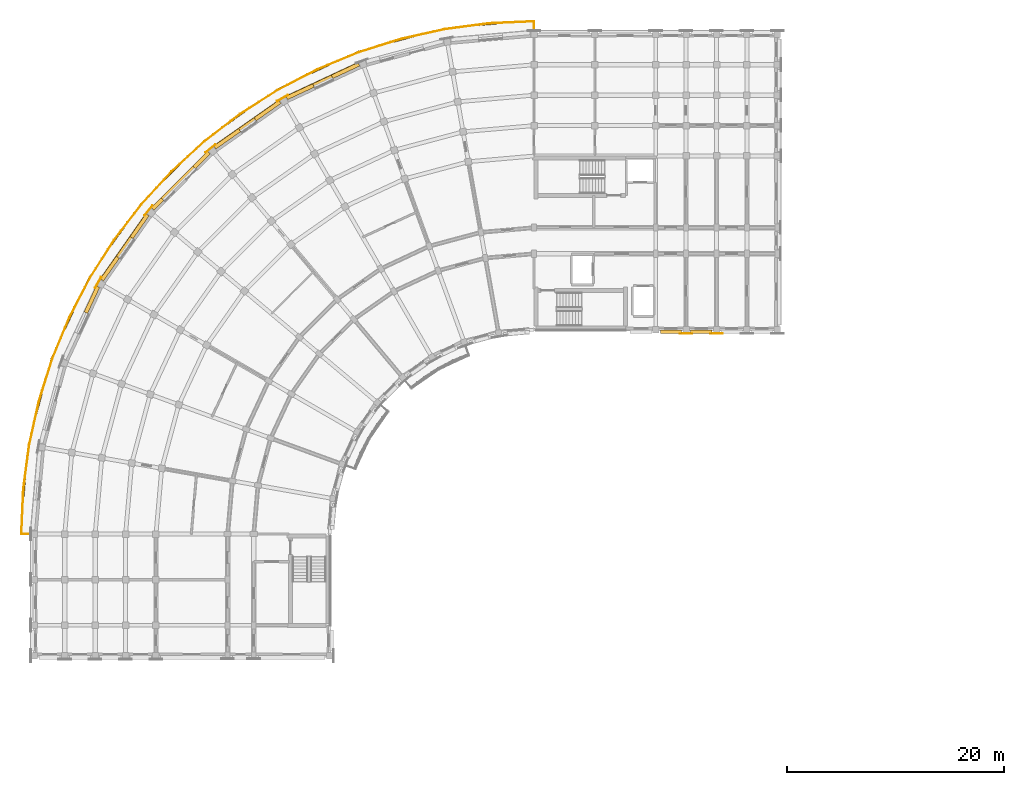
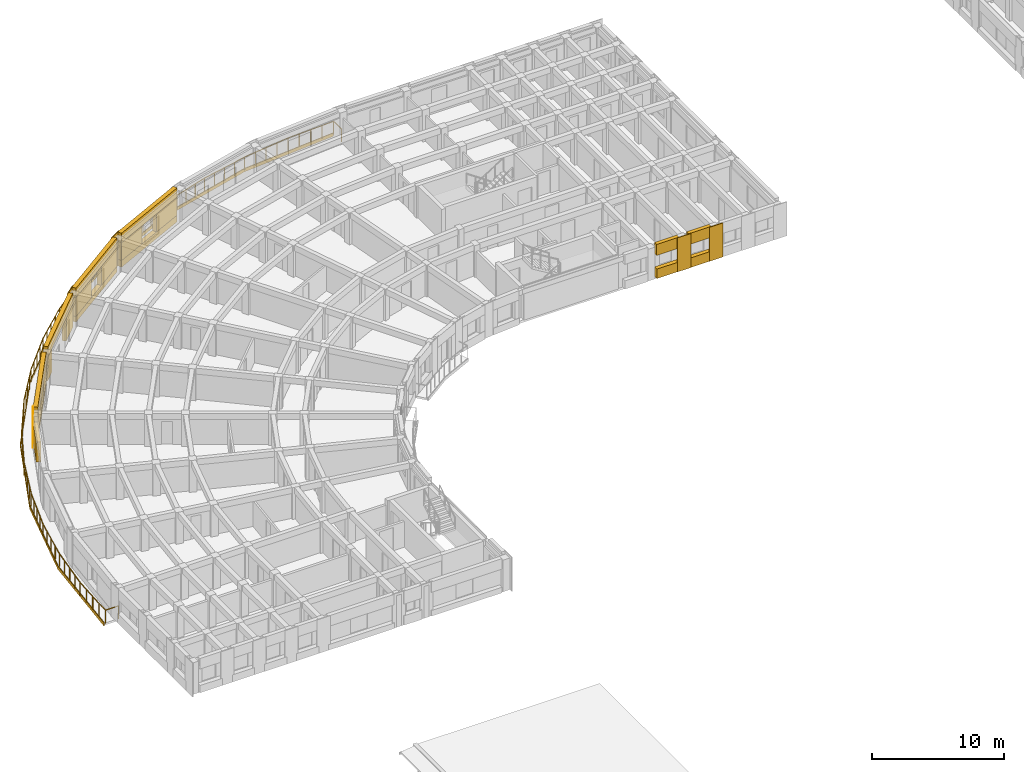
# One storey, part 33 of 41: 27 coverings, 1 railing.
"""IFC4 building model written with IfcOpenShell, lengths in metres."""

from ifc_helpers import new_model, si_unit, direction, frame, origin, origin_2d, place, context, subcontext, project, spatial, polyline, circle, outline, extrude, material, layer, layer_set, type_object, element, save


model = new_model("IFC4")

# Units and contexts
model_context = context("Model", 3, precision=1e-05, world=origin(), true_north=direction((0.0, 1.0)))
body_context = subcontext(model_context, "Body", "Model", "MODEL_VIEW")
ifc_project = project(units=[si_unit("LENGTHUNIT", "METRE"), si_unit("AREAUNIT", "SQUARE_METRE"), si_unit("VOLUMEUNIT", "CUBIC_METRE"), si_unit("PLANEANGLEUNIT", "RADIAN"), si_unit("MASSUNIT", "GRAM", prefix="KILO")], contexts=[model_context])

# Site, building, storey
site_placement = place(None, origin())
site = spatial("IfcSite", under=ifc_project, at=site_placement, CompositionType="ELEMENT")
building_placement = place(site_placement, origin())
building = spatial("IfcBuilding", under=site, at=building_placement, Name="Kiranvali Square Residences", CompositionType="ELEMENT")
storey_placement = place(building_placement, frame((0.0, 0.0, 33.89990234375)))
storey = spatial("IfcBuildingStorey", under=building, at=storey_placement, Name="L10", CompositionType="ELEMENT", Elevation=33.89990234375)

# Coverings
ifc_material_1 = material(Name="Carved Porbandar limestone classical entablature and cornice", Category="masonry")
ifc_layer_1 = layer(ifc_material_1, 0.072021484375)
ifc_layer_set_1 = layer_set([ifc_layer_1], Name="Carved Porbandar limestone classical entablature and cornice")
covering_type_1 = type_object("IfcCoveringType", Name="COV-CLAD-BAL", PredefinedType="CLADDING", material=ifc_layer_set_1)
covering_1_placement = place(storey_placement, frame((0.0, 0.0, -0.239990234375)))
element("IfcCovering", 1, at=covering_1_placement, inside=storey, type_object=covering_type_1, Name="Block A L10 continuous curved limestone balcony fascia", PredefinedType="CLADDING", context=body_context, shape_type="SweptSolid", body=[
    extrude(outline(polyline([(48.199951171875, 135.117919921875), (39.9833984375, 134.399169921875), (32.016357421875, 132.264404296875), (24.541015625, 128.778564453125), (17.78466796875, 124.047607421875), (11.952392578125, 118.21533203125), (7.221435546875, 111.458984375), (3.735595703125, 103.983642578125), (1.600830078125, 96.0166015625), (0.882080078125, 87.800048828125), (0.947998046875, 87.800048828125), (1.665771484375, 96.005126953125), (3.797607421875, 103.961181640625), (7.278564453125, 111.426025390625), (12.0029296875, 118.173095703125), (17.826904296875, 123.9970703125), (24.573974609375, 128.721435546875), (32.038818359375, 132.202392578125), (39.994873046875, 134.334228515625), (48.199951171875, 135.052001953125), (48.199951171875, 135.117919921875)])), origin(), (0.0, 0.0, 1.0), 0.300048828125),
])
ifc_material_2 = material(Name="Honed Porbandar limestone ashlar facade cladding", Category="masonry")
ifc_layer_2 = layer(ifc_material_2, 0.3798828125)
ifc_layer_set_2 = layer_set([ifc_layer_2], Name="Honed Porbandar limestone ashlar facade cladding")
covering_type_2 = type_object("IfcCoveringType", Name="COV-CLAD-JAMB", PredefinedType="CLADDING", material=ifc_layer_set_2)
covering_2_placement = place(storey_placement, frame((0.0, 0.0, 0.6220703125)))
element("IfcCovering", 2, at=covering_2_placement, inside=storey, type_object=covering_type_2, Name="L10 deep limestone window jamb reveal A-L10-CRV-02.L", PredefinedType="CLADDING", context=body_context, shape_type="SweptSolid", body=[
    extrude(outline(polyline([(31.997802734375, 131.2041015625), (29.54248046875, 130.059326171875), (29.6943359375, 129.7333984375), (32.149658203125, 130.87841796875), (31.997802734375, 131.2041015625)])), origin(), (0.0, 0.0, 1.0), 1.650146484375),
])
covering_3_placement = place(storey_placement, frame((0.0, 0.0, 0.6220703125)))
element("IfcCovering", 3, at=covering_3_placement, inside=storey, type_object=covering_type_2, Name="L10 deep limestone window jamb reveal A-L10-CRV-02.R", PredefinedType="CLADDING", context=body_context, shape_type="SweptSolid", body=[
    extrude(outline(polyline([(27.8203125, 129.25634765625), (25.364990234375, 128.111328125), (25.51708984375, 127.78564453125), (27.972412109375, 128.930419921875), (27.8203125, 129.25634765625)])), origin(), (0.0, 0.0, 1.0), 1.650146484375),
])
covering_4_placement = place(storey_placement, frame((0.0, 0.0, 0.522216796875)))
element("IfcCovering", 4, at=covering_4_placement, inside=storey, type_object=covering_type_2, Name="L10 deep limestone window jamb reveal A-L10-CRV-03.L", PredefinedType="CLADDING", context=body_context, shape_type="SweptSolid", body=[
    extrude(outline(polyline([(24.706787109375, 127.731201171875), (22.42626953125, 126.13427734375), (22.63232421875, 125.83984375), (24.9130859375, 127.436767578125), (24.706787109375, 127.731201171875)])), origin(), (0.0, 0.0, 1.0), 1.75),
])
covering_5_placement = place(storey_placement, frame((0.0, 0.0, 0.522216796875)))
element("IfcCovering", 5, at=covering_5_placement, inside=storey, type_object=covering_type_2, Name="L10 deep limestone window jamb reveal A-L10-CRV-03.R", PredefinedType="CLADDING", context=body_context, shape_type="SweptSolid", body=[
    extrude(outline(polyline([(20.99267578125, 125.130615234375), (18.7119140625, 123.53369140625), (18.918212890625, 123.2392578125), (21.19873046875, 124.836181640625), (20.99267578125, 125.130615234375)])), origin(), (0.0, 0.0, 1.0), 1.75),
])
covering_6_placement = place(storey_placement, origin())
element("IfcCovering", 6, at=covering_6_placement, inside=storey, type_object=covering_type_2, Name="L10 deep limestone window jamb reveal A-L10-CRV-04.L", PredefinedType="CLADDING", context=body_context, shape_type="SweptSolid", body=[
    extrude(outline(polyline([(18.129638671875, 123.045166015625), (16.778076171875, 121.693603515625), (17.032470703125, 121.439453125), (18.384033203125, 122.791015625), (18.129638671875, 123.045166015625)])), origin(), (0.0, 0.0, 1.0), 2.18017578125),
])
covering_7_placement = place(storey_placement, origin())
element("IfcCovering", 7, at=covering_7_placement, inside=storey, type_object=covering_type_2, Name="L10 deep limestone window jamb reveal A-L10-CRV-04.R", PredefinedType="CLADDING", context=body_context, shape_type="SweptSolid", body=[
    extrude(outline(polyline([(13.8408203125, 118.756103515625), (12.954833984375, 117.870361328125), (13.208984375, 117.615966796875), (14.094970703125, 118.501953125), (13.8408203125, 118.756103515625)])), origin(), (0.0, 0.0, 1.0), 2.18017578125),
])
covering_8_placement = place(storey_placement, frame((0.0, 0.0, 0.47216796875)))
element("IfcCovering", 8, at=covering_8_placement, inside=storey, type_object=covering_type_2, Name="L10 deep limestone window jamb reveal A-L10-CRV-05.L", PredefinedType="CLADDING", context=body_context, shape_type="SweptSolid", body=[
    extrude(outline(polyline([(12.46630859375, 117.2880859375), (10.99853515625, 115.191650390625), (11.29296875, 114.9853515625), (12.7607421875, 117.081787109375), (12.46630859375, 117.2880859375)])), origin(), (0.0, 0.0, 1.0), 1.800048828125),
])
covering_9_placement = place(storey_placement, frame((0.0, 0.0, 0.47216796875)))
element("IfcCovering", 9, at=covering_9_placement, inside=storey, type_object=covering_type_2, Name="L10 deep limestone window jamb reveal A-L10-CRV-05.R", PredefinedType="CLADDING", context=body_context, shape_type="SweptSolid", body=[
    extrude(outline(polyline([(9.736572265625, 113.3896484375), (8.268798828125, 111.293212890625), (8.563232421875, 111.0869140625), (10.031005859375, 113.183349609375), (9.736572265625, 113.3896484375)])), origin(), (0.0, 0.0, 1.0), 1.800048828125),
])
covering_10_placement = place(storey_placement, frame((0.0, 0.0, 0.422119140625)))
element("IfcCovering", 10, at=covering_10_placement, inside=storey, type_object=covering_type_2, Name="L10 deep limestone window jamb reveal A-L10-CRV-06.L", PredefinedType="CLADDING", context=body_context, shape_type="SweptSolid", body=[
    extrude(outline(polyline([(7.888671875, 110.635009765625), (6.775390625, 108.24755859375), (7.101318359375, 108.095703125), (8.21435546875, 110.48291015625), (7.888671875, 110.635009765625)])), origin(), (0.0, 0.0, 1.0), 1.85009765625),
])
ifc_layer_3 = layer(ifc_material_2, 0.06494140625)
ifc_layer_set_3 = layer_set([ifc_layer_3], Name="Honed Porbandar limestone ashlar facade cladding")
covering_type_3 = type_object("IfcCoveringType", Name="COV-CLAD-PIER", PredefinedType="CLADDING", material=ifc_layer_set_3)
covering_11_placement = place(storey_placement, frame((0.0, 0.0, 0.005126953125)))
element("IfcCovering", 11, at=covering_11_placement, inside=storey, type_object=covering_type_3, Name="L10 Classical limestone corner pilaster CLAD-PR-A-L10-A03", PredefinedType="CLADDING", context=body_context, shape_type="SweptSolid", body=[
    extrude(outline(polyline([(25.518310546875, 128.245849609375), (24.513671875, 127.665771484375), (24.54736328125, 127.607421875), (25.552001953125, 128.1875), (25.518310546875, 128.245849609375)])), origin(), (0.0, 0.0, 1.0), 3.139892578125),
])
covering_12_placement = place(storey_placement, frame((0.0, 0.0, 0.005126953125)))
element("IfcCovering", 12, at=covering_12_placement, inside=storey, type_object=covering_type_3, Name="L10 Classical limestone corner pilaster CLAD-PR-A-L10-A04", PredefinedType="CLADDING", context=body_context, shape_type="SweptSolid", body=[
    extrude(outline(polyline([(18.839599609375, 123.69287109375), (17.950927734375, 122.947021484375), (17.994384765625, 122.8955078125), (18.8828125, 123.64111328125), (18.839599609375, 123.69287109375)])), origin(), (0.0, 0.0, 1.0), 3.139892578125),
])
covering_13_placement = place(storey_placement, frame((0.0, 0.0, 0.005126953125)))
element("IfcCovering", 13, at=covering_13_placement, inside=storey, type_object=covering_type_3, Name="L10 Classical limestone corner pilaster CLAD-PR-A-L10-A05", PredefinedType="CLADDING", context=body_context, shape_type="SweptSolid", body=[
    extrude(outline(polyline([(13.052978515625, 118.049072265625), (12.30712890625, 117.160400390625), (12.35888671875, 117.1171875), (13.1044921875, 118.005615234375), (13.052978515625, 118.049072265625)])), origin(), (0.0, 0.0, 1.0), 3.139892578125),
])
covering_14_placement = place(storey_placement, frame((0.0, 0.0, 0.005126953125)))
element("IfcCovering", 14, at=covering_14_placement, inside=storey, type_object=covering_type_3, Name="L10 Classical limestone corner pilaster CLAD-PR-A-L10-A06", PredefinedType="CLADDING", context=body_context, shape_type="SweptSolid", body=[
    extrude(outline(polyline([(8.334228515625, 111.486328125), (7.754150390625, 110.481689453125), (7.8125, 110.447998046875), (8.392578125, 111.45263671875), (8.334228515625, 111.486328125)])), origin(), (0.0, 0.0, 1.0), 3.139892578125),
])
ifc_layer_4 = layer(ifc_material_2, 0.050048828125)
ifc_layer_set_4 = layer_set([ifc_layer_4], Name="Honed Porbandar limestone ashlar facade cladding")
covering_type_4 = type_object("IfcCoveringType", Name="COV-CLAD-PIER-IN", PredefinedType="CLADDING", material=ifc_layer_set_4)
covering_15_placement = place(storey_placement, frame((0.0, 0.0, 0.005126953125)))
element("IfcCovering", 15, at=covering_15_placement, inside=storey, type_object=covering_type_4, Name="L10 Classical limestone pilaster casing CLAD-PRA1I-A-L10-U140", PredefinedType="CLADDING", context=body_context, shape_type="SweptSolid", body=[
    extrude(outline(polyline([(61.6201171875, 106.23193359375), (62.780029296875, 106.23193359375), (62.780029296875, 106.299560546875), (61.6201171875, 106.299560546875), (61.6201171875, 106.23193359375)])), origin(), (0.0, 0.0, 1.0), 3.139892578125),
])
covering_16_placement = place(storey_placement, frame((0.0, 0.0, 0.005126953125)))
element("IfcCovering", 16, at=covering_16_placement, inside=storey, type_object=covering_type_4, Name="L10 Classical limestone pilaster casing CLAD-PRA1I-A-L10-U167", PredefinedType="CLADDING", context=body_context, shape_type="SweptSolid", body=[
    extrude(outline(polyline([(64.419921875, 106.23193359375), (65.580078125, 106.23193359375), (65.580078125, 106.299560546875), (64.419921875, 106.299560546875), (64.419921875, 106.23193359375)])), origin(), (0.0, 0.0, 1.0), 3.139892578125),
])
ifc_layer_5 = layer(ifc_material_2, 0.360107421875)
ifc_layer_set_5 = layer_set([ifc_layer_5], Name="Honed Porbandar limestone ashlar facade cladding")
covering_type_5 = type_object("IfcCoveringType", Name="COV-CLAD-WALL", PredefinedType="CLADDING", material=ifc_layer_set_5)
covering_17_placement = place(storey_placement, frame((0.0, 0.0, 2.272216796875)))
element("IfcCovering", 17, at=covering_17_placement, inside=storey, type_object=covering_type_5, Name="L10 light limestone spandrel lintel A-L10-CRV-02", PredefinedType="CLADDING", context=body_context, shape_type="SweptSolid", body=[
    extrude(outline(polyline([(31.997802734375, 131.2041015625), (25.364990234375, 128.111328125), (25.51708984375, 127.78564453125), (32.149658203125, 130.87841796875), (31.997802734375, 131.2041015625)])), origin(), (0.0, 0.0, 1.0), 0.872802734375),
])
covering_18_placement = place(storey_placement, frame((0.0, 0.0, 2.272216796875)))
element("IfcCovering", 18, at=covering_18_placement, inside=storey, type_object=covering_type_5, Name="L10 light limestone spandrel lintel A-L10-CRV-03", PredefinedType="CLADDING", context=body_context, shape_type="SweptSolid", body=[
    extrude(outline(polyline([(24.706787109375, 127.731201171875), (18.7119140625, 123.53369140625), (18.918212890625, 123.2392578125), (24.9130859375, 127.436767578125), (24.706787109375, 127.731201171875)])), origin(), (0.0, 0.0, 1.0), 0.872802734375),
])
covering_19_placement = place(storey_placement, frame((0.0, 0.0, 2.18017578125)))
element("IfcCovering", 19, at=covering_19_placement, inside=storey, type_object=covering_type_5, Name="L10 light limestone spandrel lintel A-L10-CRV-04", PredefinedType="CLADDING", context=body_context, shape_type="SweptSolid", body=[
    extrude(outline(polyline([(18.129638671875, 123.045166015625), (12.954833984375, 117.870361328125), (13.208984375, 117.615966796875), (18.384033203125, 122.791015625), (18.129638671875, 123.045166015625)])), origin(), (0.0, 0.0, 1.0), 0.96484375),
])
covering_20_placement = place(storey_placement, frame((0.0, 0.0, 2.272216796875)))
element("IfcCovering", 20, at=covering_20_placement, inside=storey, type_object=covering_type_5, Name="L10 light limestone spandrel lintel A-L10-CRV-05", PredefinedType="CLADDING", context=body_context, shape_type="SweptSolid", body=[
    extrude(outline(polyline([(12.46630859375, 117.2880859375), (8.268798828125, 111.293212890625), (8.563232421875, 111.0869140625), (12.7607421875, 117.081787109375), (12.46630859375, 117.2880859375)])), origin(), (0.0, 0.0, 1.0), 0.872802734375),
])
covering_21_placement = place(storey_placement, frame((0.0, 0.0, 2.130126953125)))
element("IfcCovering", 21, at=covering_21_placement, inside=storey, type_object=covering_type_5, Name="L10 light limestone spandrel lintel A-L10-A1I-0", PredefinedType="CLADDING", context=body_context, shape_type="SweptSolid", body=[
    extrude(outline(polyline([(59.820068359375, 106.280029296875), (61.780029296875, 106.280029296875), (61.780029296875, 106.599609375), (59.820068359375, 106.599609375), (59.820068359375, 106.280029296875)])), origin(), (0.0, 0.0, 1.0), 1.014892578125),
])
covering_22_placement = place(storey_placement, frame((0.0, 0.0, 2.130126953125)))
element("IfcCovering", 22, at=covering_22_placement, inside=storey, type_object=covering_type_5, Name="L10 light limestone spandrel lintel A-L10-A1I-1", PredefinedType="CLADDING", context=body_context, shape_type="SweptSolid", body=[
    extrude(outline(polyline([(62.6201171875, 106.280029296875), (64.580078125, 106.280029296875), (64.580078125, 106.599609375), (62.6201171875, 106.599609375), (62.6201171875, 106.280029296875)])), origin(), (0.0, 0.0, 1.0), 1.014892578125),
])
ifc_layer_6 = layer(ifc_material_2, 0.320068359375)
ifc_layer_set_6 = layer_set([ifc_layer_6], Name="Honed Porbandar limestone ashlar facade cladding")
covering_type_6 = type_object("IfcCoveringType", Name="COV-CLAD-WALL-UP", PredefinedType="CLADDING", material=ifc_layer_set_6)
covering_23_placement = place(storey_placement, frame((0.0, 0.0, 0.005126953125)))
element("IfcCovering", 23, at=covering_23_placement, inside=storey, type_object=covering_type_6, Name="L10 limestone window sill apron A-L10-CRV-02", PredefinedType="CLADDING", context=body_context, shape_type="SweptSolid", body=[
    extrude(outline(polyline([(31.985107421875, 131.2314453125), (25.352294921875, 128.138671875), (25.51708984375, 127.78564453125), (32.149658203125, 130.87841796875), (31.985107421875, 131.2314453125)])), origin(), (0.0, 0.0, 1.0), 0.616943359375),
])
covering_24_placement = place(storey_placement, frame((0.0, 0.0, 0.005126953125)))
element("IfcCovering", 24, at=covering_24_placement, inside=storey, type_object=covering_type_6, Name="L10 limestone window sill apron A-L10-CRV-03", PredefinedType="CLADDING", context=body_context, shape_type="SweptSolid", body=[
    extrude(outline(polyline([(24.689697265625, 127.755859375), (18.69482421875, 123.558349609375), (18.918212890625, 123.2392578125), (24.9130859375, 127.436767578125), (24.689697265625, 127.755859375)])), origin(), (0.0, 0.0, 1.0), 0.51708984375),
])
covering_25_placement = place(storey_placement, frame((0.0, 0.0, 0.005126953125)))
element("IfcCovering", 25, at=covering_25_placement, inside=storey, type_object=covering_type_6, Name="L10 limestone window sill apron A-L10-CRV-05", PredefinedType="CLADDING", context=body_context, shape_type="SweptSolid", body=[
    extrude(outline(polyline([(12.441650390625, 117.30517578125), (8.244140625, 111.310302734375), (8.563232421875, 111.0869140625), (12.7607421875, 117.081787109375), (12.441650390625, 117.30517578125)])), origin(), (0.0, 0.0, 1.0), 0.467041015625),
])
covering_26_placement = place(storey_placement, frame((0.0, 0.0, 0.005126953125)))
element("IfcCovering", 26, at=covering_26_placement, inside=storey, type_object=covering_type_6, Name="L10 limestone window sill apron A-L10-A1I-0", PredefinedType="CLADDING", context=body_context, shape_type="SweptSolid", body=[
    extrude(outline(polyline([(59.820068359375, 106.25), (61.780029296875, 106.25), (61.780029296875, 106.599609375), (59.820068359375, 106.599609375), (59.820068359375, 106.25)])), origin(), (0.0, 0.0, 1.0), 0.875),
])
covering_27_placement = place(storey_placement, frame((0.0, 0.0, 0.005126953125)))
element("IfcCovering", 27, at=covering_27_placement, inside=storey, type_object=covering_type_6, Name="L10 limestone window sill apron A-L10-A1I-1", PredefinedType="CLADDING", context=body_context, shape_type="SweptSolid", body=[
    extrude(outline(polyline([(62.6201171875, 106.25), (64.580078125, 106.25), (64.580078125, 106.599609375), (62.6201171875, 106.599609375), (62.6201171875, 106.25)])), origin(), (0.0, 0.0, 1.0), 0.875),
])

# Railing
ifc_material_3 = material(Name="Powder-coated architectural bronze balustrade", Category="steel")
railing_type = type_object("IfcRailingType", Name="RL-BAL-GOLD-1200", PredefinedType="BALUSTRADE", material=ifc_material_3)
railing_placement = place(storey_placement, frame((48.199951171875, 133.840087890625, 0.0)))
element("IfcRailing", 28, at=railing_placement, inside=storey, type_object=railing_type, Name="Block A L10 continuous curved corner gold balustrade", PredefinedType="BALUSTRADE", context=body_context, shape_type="SweptSolid", body=[
    extrude(circle(Radius=0.02392578125, at=origin_2d()), frame((0.0, 0.0, 1.17578125), z_axis=(0.0, 1.0, 0.0), x_axis=(-1.0, 0.0, 0.0)), (0.0, 0.0, 1.0), 1.14990234375),
    extrude(circle(Radius=0.02392578125, at=origin_2d()), frame((0.0, 1.14990234375, 1.17578125), z_axis=(-0.999049544955, -0.043589066576, 0.0), x_axis=(0.043589066576, -0.999049544955, 0.0)), (0.0, 0.0, 1.0), 4.11669921875),
    extrude(circle(Radius=0.02392578125, at=origin_2d()), frame((-4.11279296875, 0.970458984375, 1.17578125), z_axis=(-0.991444603928, -0.1305281477, 0.0), x_axis=(0.1305281477, -0.991444603928, 0.0)), (0.0, 0.0, 1.0), 4.11669921875),
    extrude(circle(Radius=0.02392578125, at=origin_2d()), frame((-8.1943359375, 0.43310546875, 1.17578125), z_axis=(-0.976292989924, -0.216453223181, 0.0), x_axis=(0.216453223181, -0.976292989924, 0.0)), (0.0, 0.0, 1.0), 4.116943359375),
    extrude(circle(Radius=0.02392578125, at=origin_2d()), frame((-12.213623046875, -0.4580078125, 1.17578125), z_axis=(-0.953710744932, -0.300725481131, 0.0), x_axis=(0.300725481131, -0.953710744932, 0.0)), (0.0, 0.0, 1.0), 4.116943359375),
    extrude(circle(Radius=0.02392578125, at=origin_2d()), frame((-16.139892578125, -1.696044921875, 1.17578125), z_axis=(-0.923880226262, -0.382681757498, 0.0), x_axis=(0.382681757498, -0.923880226262, 0.0)), (0.0, 0.0, 1.0), 4.116943359375),
    extrude(circle(Radius=0.02392578125, at=origin_2d()), frame((-19.943359375, -3.271484375, 1.17578125), z_axis=(-0.887013781313, -0.461742949877, 0.0), x_axis=(0.461742949877, -0.887013781313, 0.0)), (0.0, 0.0, 1.0), 4.11669921875),
    extrude(circle(Radius=0.02392578125, at=origin_2d()), frame((-23.594970703125, -5.17236328125, 1.17578125), z_axis=(-0.843402550976, -0.537282176335, 0.0), x_axis=(0.537282176335, -0.843402550976, 0.0)), (0.0, 0.0, 1.0), 4.116943359375),
    extrude(circle(Radius=0.02392578125, at=origin_2d()), frame((-27.067138671875, -7.38427734375, 1.17578125), z_axis=(-0.793339967331, -0.608778856594, 0.0), x_axis=(0.608778856594, -0.793339967331, 0.0)), (0.0, 0.0, 1.0), 4.11669921875),
    extrude(circle(Radius=0.02392578125, at=origin_2d()), frame((-30.3330078125, -9.890380859375, 1.17578125), z_axis=(-0.737299356654, -0.675566176386, 0.0), x_axis=(0.675566176386, -0.737299356654, 0.0)), (0.0, 0.0, 1.0), 4.116943359375),
    extrude(circle(Radius=0.02392578125, at=origin_2d()), frame((-33.368408203125, -12.671630859375, 1.17578125), z_axis=(-0.675566176386, -0.737299356654, 0.0), x_axis=(0.737299356654, -0.675566176386, 0.0)), (0.0, 0.0, 1.0), 4.116943359375),
    extrude(circle(Radius=0.02392578125, at=origin_2d()), frame((-36.149658203125, -15.70703125, 1.17578125), z_axis=(-0.608778856594, -0.793339967331, 0.0), x_axis=(0.793339967331, -0.608778856594, 0.0)), (0.0, 0.0, 1.0), 4.11669921875),
    extrude(circle(Radius=0.02392578125, at=origin_2d()), frame((-38.65576171875, -18.972900390625, 1.17578125), z_axis=(-0.537282176335, -0.843402550976, 0.0), x_axis=(0.843402550976, -0.537282176335, 0.0)), (0.0, 0.0, 1.0), 4.116943359375),
    extrude(circle(Radius=0.02392578125, at=origin_2d()), frame((-40.86767578125, -22.445068359375, 1.17578125), z_axis=(-0.461742949877, -0.887013781313, 0.0), x_axis=(0.887013781313, -0.461742949877, 0.0)), (0.0, 0.0, 1.0), 4.11669921875),
    extrude(circle(Radius=0.02392578125, at=origin_2d()), frame((-42.7685546875, -26.0966796875, 1.17578125), z_axis=(-0.382681757498, -0.923880226262, 0.0), x_axis=(0.923880226262, -0.382681757498, 0.0)), (0.0, 0.0, 1.0), 4.116943359375),
    extrude(circle(Radius=0.02392578125, at=origin_2d()), frame((-44.343994140625, -29.900146484375, 1.17578125), z_axis=(-0.300725481131, -0.953710744932, 0.0), x_axis=(0.953710744932, -0.300725481131, 0.0)), (0.0, 0.0, 1.0), 4.116943359375),
    extrude(circle(Radius=0.02392578125, at=origin_2d()), frame((-45.58203125, -33.826416015625, 1.17578125), z_axis=(-0.216453223181, -0.976292989924, 0.0), x_axis=(0.976292989924, -0.216453223181, 0.0)), (0.0, 0.0, 1.0), 4.116943359375),
    extrude(circle(Radius=0.02392578125, at=origin_2d()), frame((-46.47314453125, -37.845703125, 1.17578125), z_axis=(-0.1305281477, -0.991444603928, 0.0), x_axis=(0.991444603928, -0.1305281477, 0.0)), (0.0, 0.0, 1.0), 4.11669921875),
    extrude(circle(Radius=0.02392578125, at=origin_2d()), frame((-47.010498046875, -41.92724609375, 1.17578125), z_axis=(-0.043589066576, -0.999049544955, 0.0), x_axis=(0.999049544955, -0.043589066576, 0.0)), (0.0, 0.0, 1.0), 4.11669921875),
    extrude(circle(Radius=0.02392578125, at=origin_2d()), frame((-47.18994140625, -46.0400390625, 1.17578125), z_axis=(1.0, 0.0, 0.0), x_axis=(0.0, 1.0, 0.0)), (0.0, 0.0, 1.0), 1.14990234375),
    extrude(circle(Radius=0.02099609375, at=origin_2d()), origin(), (0.0, 0.0, 1.0), 1.15185546875),
    extrude(circle(Radius=0.02099609375, at=origin_2d()), frame((0.0, 1.14990234375, 0.0)), (0.0, 0.0, 1.0), 1.15185546875),
    extrude(circle(Radius=0.02099609375, at=origin_2d()), frame((-1.0283203125, 1.10498046875, 0.0)), (0.0, 0.0, 1.0), 1.15185546875),
    extrude(circle(Radius=0.02099609375, at=origin_2d()), frame((-2.056396484375, 1.06005859375, 0.0)), (0.0, 0.0, 1.0), 1.15185546875),
    extrude(circle(Radius=0.02099609375, at=origin_2d()), frame((-3.08447265625, 1.015380859375, 0.0)), (0.0, 0.0, 1.0), 1.15185546875),
    extrude(circle(Radius=0.02099609375, at=origin_2d()), frame((-4.11279296875, 0.970458984375, 0.0)), (0.0, 0.0, 1.0), 1.15185546875),
    extrude(circle(Radius=0.02099609375, at=origin_2d()), frame((-5.13330078125, 0.836181640625, 0.0)), (0.0, 0.0, 1.0), 1.15185546875),
    extrude(circle(Radius=0.02099609375, at=origin_2d()), frame((-6.153564453125, 0.70166015625, 0.0)), (0.0, 0.0, 1.0), 1.15185546875),
    extrude(circle(Radius=0.02099609375, at=origin_2d()), frame((-7.173828125, 0.5673828125, 0.0)), (0.0, 0.0, 1.0), 1.15185546875),
    extrude(circle(Radius=0.02099609375, at=origin_2d()), frame((-8.1943359375, 0.43310546875, 0.0)), (0.0, 0.0, 1.0), 1.15185546875),
    extrude(circle(Radius=0.02099609375, at=origin_2d()), frame((-9.19921875, 0.21044921875, 0.0)), (0.0, 0.0, 1.0), 1.15185546875),
    extrude(circle(Radius=0.02099609375, at=origin_2d()), frame((-10.2041015625, -0.012451171875, 0.0)), (0.0, 0.0, 1.0), 1.15185546875),
    extrude(circle(Radius=0.02099609375, at=origin_2d()), frame((-11.208740234375, -0.2353515625, 0.0)), (0.0, 0.0, 1.0), 1.15185546875),
    extrude(circle(Radius=0.02099609375, at=origin_2d()), frame((-12.213623046875, -0.4580078125, 0.0)), (0.0, 0.0, 1.0), 1.15185546875),
    extrude(circle(Radius=0.02099609375, at=origin_2d()), frame((-13.1953125, -0.767578125, 0.0)), (0.0, 0.0, 1.0), 1.15185546875),
    extrude(circle(Radius=0.02099609375, at=origin_2d()), frame((-14.1767578125, -1.0771484375, 0.0)), (0.0, 0.0, 1.0), 1.15185546875),
    extrude(circle(Radius=0.02099609375, at=origin_2d()), frame((-15.158203125, -1.386474609375, 0.0)), (0.0, 0.0, 1.0), 1.15185546875),
    extrude(circle(Radius=0.02099609375, at=origin_2d()), frame((-16.139892578125, -1.696044921875, 0.0)), (0.0, 0.0, 1.0), 1.15185546875),
    extrude(circle(Radius=0.02099609375, at=origin_2d()), frame((-17.0908203125, -2.08984375, 0.0)), (0.0, 0.0, 1.0), 1.15185546875),
    extrude(circle(Radius=0.02099609375, at=origin_2d()), frame((-18.04150390625, -2.48388671875, 0.0)), (0.0, 0.0, 1.0), 1.15185546875),
    extrude(circle(Radius=0.02099609375, at=origin_2d()), frame((-18.992431640625, -2.877685546875, 0.0)), (0.0, 0.0, 1.0), 1.15185546875),
    extrude(circle(Radius=0.02099609375, at=origin_2d()), frame((-19.943359375, -3.271484375, 0.0)), (0.0, 0.0, 1.0), 1.15185546875),
    extrude(circle(Radius=0.02099609375, at=origin_2d()), frame((-20.856201171875, -3.74658203125, 0.0)), (0.0, 0.0, 1.0), 1.15185546875),
    extrude(circle(Radius=0.02099609375, at=origin_2d()), frame((-21.76904296875, -4.221923828125, 0.0)), (0.0, 0.0, 1.0), 1.15185546875),
    extrude(circle(Radius=0.02099609375, at=origin_2d()), frame((-22.68212890625, -4.697265625, 0.0)), (0.0, 0.0, 1.0), 1.15185546875),
    extrude(circle(Radius=0.02099609375, at=origin_2d()), frame((-23.594970703125, -5.17236328125, 0.0)), (0.0, 0.0, 1.0), 1.15185546875),
    extrude(circle(Radius=0.02099609375, at=origin_2d()), frame((-24.462890625, -5.725341796875, 0.0)), (0.0, 0.0, 1.0), 1.15185546875),
    extrude(circle(Radius=0.02099609375, at=origin_2d()), frame((-25.3310546875, -6.2783203125, 0.0)), (0.0, 0.0, 1.0), 1.15185546875),
    extrude(circle(Radius=0.02099609375, at=origin_2d()), frame((-26.19921875, -6.831298828125, 0.0)), (0.0, 0.0, 1.0), 1.15185546875),
    extrude(circle(Radius=0.02099609375, at=origin_2d()), frame((-27.067138671875, -7.38427734375, 0.0)), (0.0, 0.0, 1.0), 1.15185546875),
    extrude(circle(Radius=0.02099609375, at=origin_2d()), frame((-27.883544921875, -8.0107421875, 0.0)), (0.0, 0.0, 1.0), 1.15185546875),
    extrude(circle(Radius=0.02099609375, at=origin_2d()), frame((-28.7001953125, -8.63720703125, 0.0)), (0.0, 0.0, 1.0), 1.15185546875),
    extrude(circle(Radius=0.02099609375, at=origin_2d()), frame((-29.5166015625, -9.263916015625, 0.0)), (0.0, 0.0, 1.0), 1.15185546875),
    extrude(circle(Radius=0.02099609375, at=origin_2d()), frame((-30.3330078125, -9.890380859375, 0.0)), (0.0, 0.0, 1.0), 1.15185546875),
    extrude(circle(Radius=0.02099609375, at=origin_2d()), frame((-31.091796875, -10.585693359375, 0.0)), (0.0, 0.0, 1.0), 1.15185546875),
    extrude(circle(Radius=0.02099609375, at=origin_2d()), frame((-31.8505859375, -11.281005859375, 0.0)), (0.0, 0.0, 1.0), 1.15185546875),
    extrude(circle(Radius=0.02099609375, at=origin_2d()), frame((-32.609619140625, -11.976318359375, 0.0)), (0.0, 0.0, 1.0), 1.15185546875),
    extrude(circle(Radius=0.02099609375, at=origin_2d()), frame((-33.368408203125, -12.671630859375, 0.0)), (0.0, 0.0, 1.0), 1.15185546875),
    extrude(circle(Radius=0.02099609375, at=origin_2d()), frame((-34.063720703125, -13.430419921875, 0.0)), (0.0, 0.0, 1.0), 1.15185546875),
    extrude(circle(Radius=0.02099609375, at=origin_2d()), frame((-34.759033203125, -14.189453125, 0.0)), (0.0, 0.0, 1.0), 1.15185546875),
    extrude(circle(Radius=0.02099609375, at=origin_2d()), frame((-35.454345703125, -14.9482421875, 0.0)), (0.0, 0.0, 1.0), 1.15185546875),
    extrude(circle(Radius=0.02099609375, at=origin_2d()), frame((-36.149658203125, -15.70703125, 0.0)), (0.0, 0.0, 1.0), 1.15185546875),
    extrude(circle(Radius=0.02099609375, at=origin_2d()), frame((-36.776123046875, -16.5234375, 0.0)), (0.0, 0.0, 1.0), 1.15185546875),
    extrude(circle(Radius=0.02099609375, at=origin_2d()), frame((-37.40283203125, -17.33984375, 0.0)), (0.0, 0.0, 1.0), 1.15185546875),
    extrude(circle(Radius=0.02099609375, at=origin_2d()), frame((-38.029296875, -18.156494140625, 0.0)), (0.0, 0.0, 1.0), 1.15185546875),
    extrude(circle(Radius=0.02099609375, at=origin_2d()), frame((-38.65576171875, -18.972900390625, 0.0)), (0.0, 0.0, 1.0), 1.15185546875),
    extrude(circle(Radius=0.02099609375, at=origin_2d()), frame((-39.208740234375, -19.8408203125, 0.0)), (0.0, 0.0, 1.0), 1.15185546875),
    extrude(circle(Radius=0.02099609375, at=origin_2d()), frame((-39.76171875, -20.708984375, 0.0)), (0.0, 0.0, 1.0), 1.15185546875),
    extrude(circle(Radius=0.02099609375, at=origin_2d()), frame((-40.314697265625, -21.5771484375, 0.0)), (0.0, 0.0, 1.0), 1.15185546875),
    extrude(circle(Radius=0.02099609375, at=origin_2d()), frame((-40.86767578125, -22.445068359375, 0.0)), (0.0, 0.0, 1.0), 1.15185546875),
    extrude(circle(Radius=0.02099609375, at=origin_2d()), frame((-41.3427734375, -23.35791015625, 0.0)), (0.0, 0.0, 1.0), 1.15185546875),
    extrude(circle(Radius=0.02099609375, at=origin_2d()), frame((-41.818115234375, -24.27099609375, 0.0)), (0.0, 0.0, 1.0), 1.15185546875),
    extrude(circle(Radius=0.02099609375, at=origin_2d()), frame((-42.29345703125, -25.183837890625, 0.0)), (0.0, 0.0, 1.0), 1.15185546875),
    extrude(circle(Radius=0.02099609375, at=origin_2d()), frame((-42.7685546875, -26.0966796875, 0.0)), (0.0, 0.0, 1.0), 1.15185546875),
    extrude(circle(Radius=0.02099609375, at=origin_2d()), frame((-43.162353515625, -27.047607421875, 0.0)), (0.0, 0.0, 1.0), 1.15185546875),
    extrude(circle(Radius=0.02099609375, at=origin_2d()), frame((-43.55615234375, -27.99853515625, 0.0)), (0.0, 0.0, 1.0), 1.15185546875),
    extrude(circle(Radius=0.02099609375, at=origin_2d()), frame((-43.9501953125, -28.94921875, 0.0)), (0.0, 0.0, 1.0), 1.15185546875),
    extrude(circle(Radius=0.02099609375, at=origin_2d()), frame((-44.343994140625, -29.900146484375, 0.0)), (0.0, 0.0, 1.0), 1.15185546875),
    extrude(circle(Radius=0.02099609375, at=origin_2d()), frame((-44.653564453125, -30.8818359375, 0.0)), (0.0, 0.0, 1.0), 1.15185546875),
    extrude(circle(Radius=0.02099609375, at=origin_2d()), frame((-44.962890625, -31.86328125, 0.0)), (0.0, 0.0, 1.0), 1.15185546875),
    extrude(circle(Radius=0.02099609375, at=origin_2d()), frame((-45.2724609375, -32.8447265625, 0.0)), (0.0, 0.0, 1.0), 1.15185546875),
    extrude(circle(Radius=0.02099609375, at=origin_2d()), frame((-45.58203125, -33.826416015625, 0.0)), (0.0, 0.0, 1.0), 1.15185546875),
    extrude(circle(Radius=0.02099609375, at=origin_2d()), frame((-45.8046875, -34.831298828125, 0.0)), (0.0, 0.0, 1.0), 1.15185546875),
    extrude(circle(Radius=0.02099609375, at=origin_2d()), frame((-46.027587890625, -35.8359375, 0.0)), (0.0, 0.0, 1.0), 1.15185546875),
    extrude(circle(Radius=0.02099609375, at=origin_2d()), frame((-46.25048828125, -36.8408203125, 0.0)), (0.0, 0.0, 1.0), 1.15185546875),
    extrude(circle(Radius=0.02099609375, at=origin_2d()), frame((-46.47314453125, -37.845703125, 0.0)), (0.0, 0.0, 1.0), 1.15185546875),
    extrude(circle(Radius=0.02099609375, at=origin_2d()), frame((-46.607421875, -38.8662109375, 0.0)), (0.0, 0.0, 1.0), 1.15185546875),
    extrude(circle(Radius=0.02099609375, at=origin_2d()), frame((-46.74169921875, -39.886474609375, 0.0)), (0.0, 0.0, 1.0), 1.15185546875),
    extrude(circle(Radius=0.02099609375, at=origin_2d()), frame((-46.876220703125, -40.90673828125, 0.0)), (0.0, 0.0, 1.0), 1.15185546875),
    extrude(circle(Radius=0.02099609375, at=origin_2d()), frame((-47.010498046875, -41.92724609375, 0.0)), (0.0, 0.0, 1.0), 1.15185546875),
    extrude(circle(Radius=0.02099609375, at=origin_2d()), frame((-47.055419921875, -42.95556640625, 0.0)), (0.0, 0.0, 1.0), 1.15185546875),
    extrude(circle(Radius=0.02099609375, at=origin_2d()), frame((-47.10009765625, -43.983642578125, 0.0)), (0.0, 0.0, 1.0), 1.15185546875),
    extrude(circle(Radius=0.02099609375, at=origin_2d()), frame((-47.14501953125, -45.01171875, 0.0)), (0.0, 0.0, 1.0), 1.15185546875),
    extrude(circle(Radius=0.02099609375, at=origin_2d()), frame((-47.18994140625, -46.0400390625, 0.0)), (0.0, 0.0, 1.0), 1.15185546875),
    extrude(circle(Radius=0.02099609375, at=origin_2d()), frame((-46.0400390625, -46.0400390625, 0.0)), (0.0, 0.0, 1.0), 1.15185546875),
])

save(model, "model.ifc")
